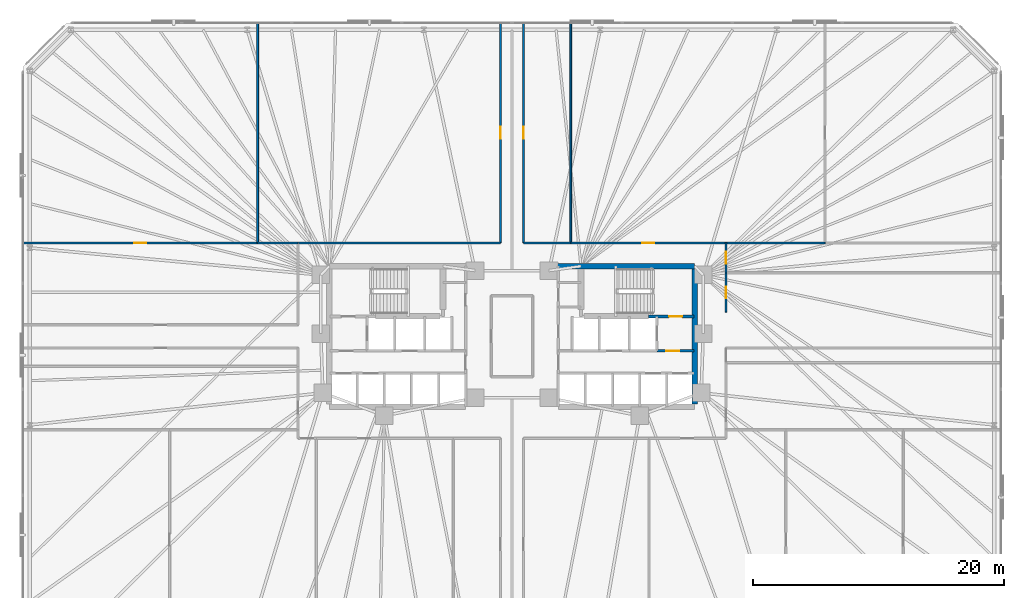
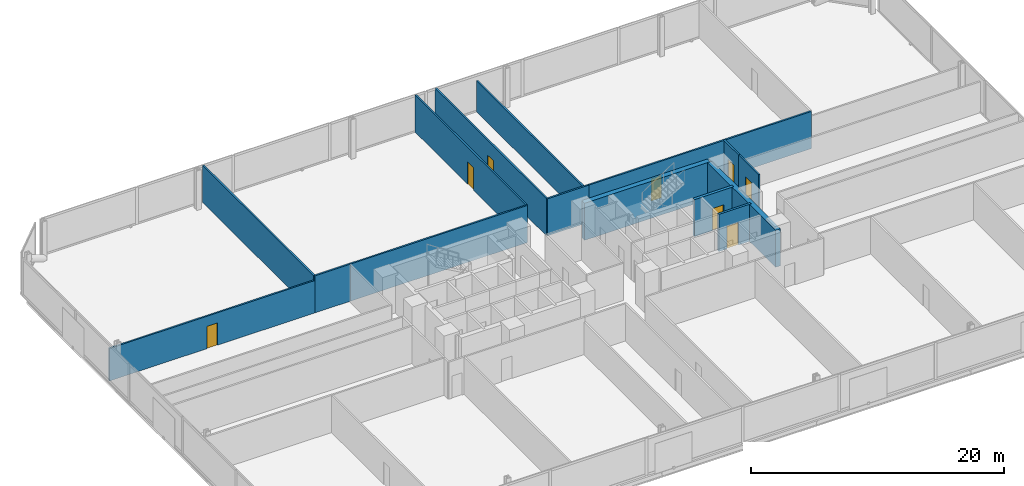
# One storey, part 14 of 17: 16 walls, 8 doors, 8 openings.
"""IFC4 building model written with IfcOpenShell, lengths in metres."""

import ifcopenshell
import ifcopenshell.guid

model = None  # the IFC model being written
_history = None  # IfcOwnerHistory: only IFC2X3 demands one
_inside = {}  # id of a spatial element -> (the spatial element, [elements in it])
_under = {}  # id of a project, library or spatial element -> (it, [spatial elements below it])
_declared = {}  # id of a project -> (the project, [libraries it declares])
_typed = {}  # id of a type object -> (the type object, [elements of that type])
_made_of = {}  # id of a material, layer set ... -> (it, [elements and type objects made of it])


def new_model(schema):
    """Start an empty IFC model of exactly this schema.

    Asked for "IFC4X3", IfcOpenShell would pick the latest addendum, in which some entities
    have other attributes; the version numbers below select the first issue.
    IFC2X3 requires an IfcOwnerHistory on every rooted entity: one is made here for all.
    """
    global model, _history
    if schema == "IFC4X3":
        model = ifcopenshell.file(schema_version=(4, 3, 0, 0))
    else:
        model = ifcopenshell.file(schema=schema)
    _inside.clear()
    _under.clear()
    _declared.clear()
    _typed.clear()
    _made_of.clear()
    _history = None
    if model.schema == "IFC2X3":
        org = make("IfcOrganization", Name="unknown")
        user = make(
            "IfcPersonAndOrganization",
            ThePerson=make("IfcPerson", FamilyName="unknown"),
            TheOrganization=org,
        )
        app = make(
            "IfcApplication",
            ApplicationDeveloper=org,
            Version="unknown",
            ApplicationFullName="unknown",
            ApplicationIdentifier="unknown",
        )
        _history = make(
            "IfcOwnerHistory",
            OwningUser=user,
            OwningApplication=app,
            ChangeAction="ADDED",
            CreationDate=0,
        )
    return model


def make(cls, **values):
    """One entity of the class cls with the attributes given. An attribute that is None is left unset."""
    return model.create_entity(
        cls, **{name: value for name, value in values.items() if value is not None}
    )


def rooted(cls, **values):
    """An entity with a GlobalId (a new one), such as an element, a storey or a relation."""
    return make(cls, GlobalId=ifcopenshell.guid.new(), OwnerHistory=_history, **values)


def si_unit(unit_type, name, prefix=None):
    """IfcSIUnit, for example si_unit("LENGTHUNIT", "METRE", prefix="MILLI")."""
    return make("IfcSIUnit", UnitType=unit_type, Prefix=prefix, Name=name)


def assignment(units):
    """IfcUnitAssignment: the units of a project."""
    return None if units is None else make("IfcUnitAssignment", Units=units)


def point(xyz):
    """IfcCartesianPoint."""
    return None if xyz is None else make("IfcCartesianPoint", Coordinates=xyz)


def direction(xyz):
    """IfcDirection."""
    return None if xyz is None else make("IfcDirection", DirectionRatios=xyz)


def frame(location, z_axis=None, x_axis=None):
    """IfcAxis2Placement3D, a coordinate frame: its origin and axes. An axis left out is left unset."""
    return make(
        "IfcAxis2Placement3D",
        Location=point(location),
        Axis=direction(z_axis),
        RefDirection=direction(x_axis),
    )


def frame_2d(location, x_axis=None):
    """IfcAxis2Placement2D, a coordinate frame in the plane: its origin and x axis."""
    return make(
        "IfcAxis2Placement2D", Location=point(location), RefDirection=direction(x_axis)
    )


def origin():
    """The frame at (0, 0, 0) with its axes left unset."""
    return frame((0.0, 0.0, 0.0))


def place(relative_to, where):
    """IfcLocalPlacement: puts the frame where relative to a parent placement (None: the world)."""
    return make(
        "IfcLocalPlacement", PlacementRelTo=relative_to, RelativePlacement=where
    )


def context(
    kind, dimensions, precision=None, world=None, true_north=None, identifier=None
):
    """IfcGeometricRepresentationContext, for example the 3D "Model" context."""
    return make(
        "IfcGeometricRepresentationContext",
        ContextIdentifier=identifier,
        ContextType=kind,
        CoordinateSpaceDimension=dimensions,
        Precision=precision,
        WorldCoordinateSystem=world,
        TrueNorth=true_north,
    )


def subcontext(parent, identifier, kind, view, scale=None):
    """IfcGeometricRepresentationSubContext, for example "Body" below "Model"."""
    return make(
        "IfcGeometricRepresentationSubContext",
        ContextIdentifier=identifier,
        ContextType=kind,
        ParentContext=parent,
        TargetScale=scale,
        TargetView=view,
    )


def project(units=None, contexts=None):
    """IfcProject with its units and contexts."""
    return rooted(
        "IfcProject",
        Name="project",
        RepresentationContexts=contexts,
        UnitsInContext=assignment(units),
    )


def spatial(cls, under=None, at=None, **own):
    """A site, building, storey or space (cls), placed at a placement, below another one or the project."""
    s = rooted(cls, ObjectPlacement=at, **own)
    if under is not None:
        _under.setdefault(under.id(), (under, []))[1].append(s)
    return s


def profile(cls, at=None, kind="AREA", **sizes):
    """A parametric profile (cls). Its sizes go by their IFC names, for example OverallWidth=200.0."""
    return make(cls, ProfileType=kind, Position=at, **sizes)


def rectangle(**sizes):
    """IfcRectangleProfileDef."""
    return profile("IfcRectangleProfileDef", **sizes)


def extrude(swept, where, along, depth):
    """IfcExtrudedAreaSolid: the profile swept, set in the frame where, extruded along a direction by depth."""
    return make(
        "IfcExtrudedAreaSolid",
        SweptArea=swept,
        Position=where,
        ExtrudedDirection=direction(along),
        Depth=depth,
    )


def shape(context_of_items, identifier, shape_type, items):
    """IfcShapeRepresentation: the items that make up one representation, for example the "Body"."""
    return make(
        "IfcShapeRepresentation",
        ContextOfItems=context_of_items,
        RepresentationIdentifier=identifier,
        RepresentationType=shape_type,
        Items=items,
    )


def material(Name=None, Category=None):
    """IfcMaterial."""
    return make("IfcMaterial", Name=Name, Category=Category)


def layer(
    of_material, thickness, ventilated=None, Name=None, Category=None, Priority=None
):
    """IfcMaterialLayer: one layer of a wall or slab, of a material (None: an air gap)."""
    return make(
        "IfcMaterialLayer",
        Material=of_material,
        LayerThickness=thickness,
        IsVentilated=ventilated,
        Name=Name,
        Category=Category,
        Priority=Priority,
    )


def layer_set(layers, Name=None):
    """IfcMaterialLayerSet."""
    return make("IfcMaterialLayerSet", MaterialLayers=layers, LayerSetName=Name)


def made_of(thing, what):
    """Note that an element or type object is made of a material, layer set ...; save() writes the relation."""
    if what is not None:
        _made_of.setdefault(what.id(), (what, []))[1].append(thing)
    return thing


def type_object(cls, material=None, **own):
    """A type object (cls), such as IfcWallType, which elements share."""
    return made_of(rooted(cls, **own), material)


def element(
    cls,
    number,
    at=None,
    inside=None,
    cuts=None,
    type_object=None,
    material=None,
    context=None,
    identifier="Body",
    shape_type=None,
    held_by="IfcProductDefinitionShape",
    body=None,
    shapes=None,
    **own,
):
    """One element of the class cls, such as IfcWall. Its Tag is "e" and its number.

    at: its placement. inside: the storey or other place that contains it. cuts: it is an
    opening in that element (IfcRelVoidsElement). A single representation is given by context,
    identifier, shape_type and body (its items); several are given by shapes. held_by: the class
    of the entity that holds the representations. save() writes the other relations.
    """
    e = rooted(cls, Tag="e%d" % number, ObjectPlacement=at, **own)
    if body is not None:
        shapes = [shape(context, identifier, shape_type, body)]
    if shapes is not None:
        e.Representation = make(held_by, Representations=shapes)
    if inside is not None:
        _inside.setdefault(inside.id(), (inside, []))[1].append(e)
    if cuts is not None:
        rooted(
            "IfcRelVoidsElement", RelatingBuildingElement=cuts, RelatedOpeningElement=e
        )
    if type_object is not None:
        _typed.setdefault(type_object.id(), (type_object, []))[1].append(e)
    return made_of(e, material)


def fill(opening, filler):
    """IfcRelFillsElement: the door or window that sits in an opening."""
    return rooted(
        "IfcRelFillsElement",
        RelatingOpeningElement=opening,
        RelatedBuildingElement=filler,
    )


def aggregate(whole, parts):
    """IfcRelAggregates: a whole, such as a stair, and the parts it consists of."""
    return rooted("IfcRelAggregates", RelatingObject=whole, RelatedObjects=parts)


def save(model, path):
    """Write the relations noted so far, then the file.

    IfcRelAggregates (storeys below a building ...), IfcRelContainedInSpatialStructure (elements
    in a storey), IfcRelDefinesByType, IfcRelAssociatesMaterial and IfcRelDeclares: one each for
    every whole, place, type object, material and project.
    """
    for whole, parts in _under.values():
        aggregate(whole, parts)
    for where, things in _inside.values():
        rooted(
            "IfcRelContainedInSpatialStructure",
            RelatedElements=things,
            RelatingStructure=where,
        )
    for kind, things in _typed.values():
        rooted("IfcRelDefinesByType", RelatedObjects=things, RelatingType=kind)
    for what, things in _made_of.values():
        rooted("IfcRelAssociatesMaterial", RelatedObjects=things, RelatingMaterial=what)
    for by, libraries in _declared.values():
        rooted("IfcRelDeclares", RelatingContext=by, RelatedDefinitions=libraries)
    model.write(path)


model = new_model("IFC4")

# Units and contexts
model_context = context("Model", 3, precision=1e-05, world=origin(), true_north=direction((0.0, 1.0)))
body_context = subcontext(model_context, "Body", "Model", "MODEL_VIEW")
ifc_project = project(units=[si_unit("LENGTHUNIT", "METRE"), si_unit("AREAUNIT", "SQUARE_METRE"), si_unit("VOLUMEUNIT", "CUBIC_METRE"), si_unit("PLANEANGLEUNIT", "RADIAN"), si_unit("MASSUNIT", "GRAM", prefix="KILO")], contexts=[model_context])

# Site, building, storey
site_placement = place(None, origin())
site = spatial("IfcSite", under=ifc_project, at=site_placement, CompositionType="ELEMENT")
building_placement = place(site_placement, origin())
building = spatial("IfcBuilding", under=site, at=building_placement, Name="Menara Jurai Vektor", CompositionType="ELEMENT")
storey_placement = place(building_placement, frame((0.0, 0.0, 56.0)))
storey = spatial("IfcBuildingStorey", under=building, at=storey_placement, Name="L13", CompositionType="ELEMENT", Elevation=56.0)

# Wall, opening, door
ifc_material_1 = material(Name="Concrete C40/50", Category="concrete")
ifc_layer_1 = layer(ifc_material_1, 0.25)
ifc_layer_set_1 = layer_set([ifc_layer_1], Name="Concrete C40/50")
wall_type_1 = type_object("IfcWallType", Name="INT-WALL-CORE-250", PredefinedType="STANDARD", material=ifc_layer_set_1)
wall_1_placement = place(storey_placement, frame((10.89990234375, 1.60009765625, 0.0), z_axis=(0.0, 0.0, 1.0), x_axis=(1.0, 0.0, 0.0)))
wall_1 = element("IfcWall", 1, at=wall_1_placement, inside=storey, type_object=wall_type_1, Name="Interior Wall IW-250 L13", PredefinedType="STANDARD", context=body_context, shape_type="SweptSolid", body=[
    extrude(rectangle(XDim=3.60009765625, YDim=0.25, at=frame_2d((1.800048828125, 0.0))), origin(), (0.0, 0.0, 1.0), 3.574951171875),
])
opening_1_placement = place(wall_1_placement, frame((1.6201171875, 0.0, 0.0)))
opening_1 = element("IfcOpeningElement", 2, at=opening_1_placement, cuts=wall_1, Name="Opening D-L13-ST2", PredefinedType="OPENING", context=body_context, shape_type="SweptSolid", body=[
    extrude(rectangle(XDim=1.050048828125, YDim=2.14990234375, at=frame_2d((0.52490234375, 1.074951171875))), frame((0.0, 0.135009765625, 0.0), z_axis=(0.0, -1.0, 0.0), x_axis=(1.0, 0.0, 0.0)), (0.0, 0.0, 1.0), 0.27001953125),
])
ifc_material_2 = material(Name="Fire-Rated Steel Door", Category="steel")
door_type_1 = type_object("IfcDoorType", Name="DR-STAIR-1050", OperationType="NOTDEFINED", PredefinedType="DOOR", material=ifc_material_2)
door_1_placement = place(opening_1_placement, origin())
door_1 = element("IfcDoor", 3, at=door_1_placement, inside=storey, type_object=door_type_1, Name="Exit Stair ST2 Door L13", OperationType="SINGLE_SWING_LEFT", OverallHeight=2.14990234375, OverallWidth=1.050048828125, PredefinedType="DOOR", context=body_context, shape_type="SweptSolid", body=[
    extrude(rectangle(XDim=1.050048828125, YDim=2.14990234375, at=frame_2d((0.52490234375, 1.074951171875))), frame((0.0, 0.02490234375, 0.0), z_axis=(0.0, -1.0, 0.0), x_axis=(1.0, 0.0, 0.0)), (0.0, 0.0, 1.0), 0.050048828125),
])
fill(opening_1, door_1)

wall_2_placement = place(storey_placement, frame((11.550048828125, -1.14990234375, 0.0), z_axis=(0.0, 0.0, 1.0), x_axis=(1.0, 0.0, 0.0)))
wall_2 = element("IfcWall", 4, at=wall_2_placement, inside=storey, type_object=wall_type_1, Name="Interior Wall IW-250 L13", PredefinedType="STANDARD", context=body_context, shape_type="SweptSolid", body=[
    extrude(rectangle(XDim=2.949951171875, YDim=0.199951171875, at=frame_2d((1.47509765625, 0.0))), origin(), (0.0, 0.0, 1.0), 3.574951171875),
])
opening_2_placement = place(wall_2_placement, frame((0.75, 0.0, 0.0)))
opening_2 = element("IfcOpeningElement", 5, at=opening_2_placement, cuts=wall_2, Name="Opening D-L13-FFE", PredefinedType="OPENING", context=body_context, shape_type="SweptSolid", body=[
    extrude(rectangle(XDim=1.050048828125, YDim=2.179931640625, at=frame_2d((0.52490234375, 1.08984375))), frame((0.0, 0.10986328125, 0.0), z_axis=(0.0, -1.0, 0.0), x_axis=(1.0, 0.0, 0.0)), (0.0, 0.0, 1.0), 0.219970703125),
])
ifc_material_3 = material(Name="Fire-Rated Timber Door", Category="wood")
door_type_2 = type_object("IfcDoorType", Name="DR-LOBBY-1050", OperationType="NOTDEFINED", PredefinedType="DOOR", material=ifc_material_3)
door_2_placement = place(opening_2_placement, origin())
door_2 = element("IfcDoor", 6, at=door_2_placement, inside=storey, type_object=door_type_2, Name="Fire Lift Lobby Door E L13", OperationType="SINGLE_SWING_LEFT", OverallHeight=2.179931640625, OverallWidth=1.050048828125, PredefinedType="DOOR", context=body_context, shape_type="SweptSolid", body=[
    extrude(rectangle(XDim=1.050048828125, YDim=2.179931640625, at=frame_2d((0.52490234375, 1.08984375))), frame((0.0, 0.02490234375, 0.0), z_axis=(0.0, -1.0, 0.0), x_axis=(1.0, 0.0, 0.0)), (0.0, 0.0, 1.0), 0.050048828125),
])
fill(opening_2, door_2)

# Wall
ifc_material_4 = material(Name="Gypsum Fireboard Partition", Category="gypsum")
ifc_layer_2 = layer(ifc_material_4, 0.14990234375)
ifc_layer_set_2 = layer_set([ifc_layer_2], Name="Gypsum Fireboard Partition")
wall_type_2 = type_object("IfcWallType", Name="INT-WALL-CORR-150", PredefinedType="PARTITIONING", material=ifc_layer_set_2)
wall_3_placement = place(storey_placement, frame((-17.05908203125, 7.449951171875, 0.0), z_axis=(0.0, 0.0, 1.0), x_axis=(1.0, 0.0, 0.0)))
element("IfcWall", 7, at=wall_3_placement, inside=storey, type_object=wall_type_2, Name="Interior Wall IW-150 L13", PredefinedType="PARTITIONING", context=body_context, shape_type="SweptSolid", body=[
    extrude(rectangle(XDim=16.13916015625, YDim=0.14990234375, at=frame_2d((8.069580078125, 0.0))), origin(), (0.0, 0.0, 1.0), 3.574951171875),
])

# Wall, opening, door
wall_4_placement = place(storey_placement, frame((-0.919921875, 7.449951171875, 0.0), z_axis=(0.0, 0.0, 1.0), x_axis=(0.0, 1.0, 0.0)))
wall_4 = element("IfcWall", 8, at=wall_4_placement, inside=storey, type_object=wall_type_2, Name="Interior Wall IW-150 L13", PredefinedType="PARTITIONING", context=body_context, shape_type="SweptSolid", body=[
    extrude(rectangle(XDim=17.550048828125, YDim=0.14990234375, at=frame_2d((8.77490234375, 0.0))), origin(), (0.0, 0.0, 1.0), 3.574951171875),
])
opening_3_placement = place(wall_4_placement, frame((8.300048828125, 0.0, 0.0)))
opening_3 = element("IfcOpeningElement", 9, at=opening_3_placement, cuts=wall_4, Name="Opening D13-05", PredefinedType="OPENING", context=body_context, shape_type="SweptSolid", body=[
    extrude(rectangle(XDim=0.949951171875, YDim=2.14990234375, at=frame_2d((0.47509765625, 1.074951171875))), frame((0.0, 0.0849609375, 0.0), z_axis=(0.0, -1.0, 0.0), x_axis=(1.0, 0.0, 0.0)), (0.0, 0.0, 1.0), 0.169921875),
])
ifc_material_5 = material(Name="Solid Core Timber Fire Door", Category="wood")
door_type_3 = type_object("IfcDoorType", Name="DR-ENTRY-950", OperationType="NOTDEFINED", PredefinedType="DOOR", material=ifc_material_5)
door_3_placement = place(opening_3_placement, origin())
door_3 = element("IfcDoor", 10, at=door_3_placement, inside=storey, type_object=door_type_3, Name="Interior Door D13-05", OperationType="SINGLE_SWING_RIGHT", OverallHeight=2.14990234375, OverallWidth=0.949951171875, PredefinedType="DOOR", context=body_context, shape_type="SweptSolid", body=[
    extrude(rectangle(XDim=0.949951171875, YDim=2.14990234375, at=frame_2d((0.47509765625, 1.074951171875))), frame((0.0, 0.02490234375, 0.0), z_axis=(0.0, -1.0, 0.0), x_axis=(1.0, 0.0, 0.0)), (0.0, 0.0, 1.0), 0.050048828125),
])
fill(opening_3, door_3)

wall_5_placement = place(storey_placement, frame((0.919921875, 7.449951171875, 0.0), z_axis=(0.0, 0.0, 1.0), x_axis=(0.0, 1.0, 0.0)))
wall_5 = element("IfcWall", 11, at=wall_5_placement, inside=storey, type_object=wall_type_2, Name="Interior Wall IW-150 L13", PredefinedType="PARTITIONING", context=body_context, shape_type="SweptSolid", body=[
    extrude(rectangle(XDim=17.550048828125, YDim=0.14990234375, at=frame_2d((8.77490234375, 0.0))), origin(), (0.0, 0.0, 1.0), 3.574951171875),
])
opening_4_placement = place(wall_5_placement, frame((8.300048828125, 0.0, 0.0)))
opening_4 = element("IfcOpeningElement", 12, at=opening_4_placement, cuts=wall_5, Name="Opening D13-06", PredefinedType="OPENING", context=body_context, shape_type="SweptSolid", body=[
    extrude(rectangle(XDim=0.949951171875, YDim=2.14990234375, at=frame_2d((0.47509765625, 1.074951171875))), frame((0.0, 0.0849609375, 0.0), z_axis=(0.0, -1.0, 0.0), x_axis=(1.0, 0.0, 0.0)), (0.0, 0.0, 1.0), 0.169921875),
])
door_4_placement = place(opening_4_placement, origin())
door_4 = element("IfcDoor", 13, at=door_4_placement, inside=storey, type_object=door_type_3, Name="Interior Door D13-06", OperationType="SINGLE_SWING_LEFT", OverallHeight=2.14990234375, OverallWidth=0.949951171875, PredefinedType="DOOR", context=body_context, shape_type="SweptSolid", body=[
    extrude(rectangle(XDim=0.949951171875, YDim=2.14990234375, at=frame_2d((0.47509765625, 1.074951171875))), frame((0.0, 0.02490234375, 0.0), z_axis=(0.0, -1.0, 0.0), x_axis=(1.0, 0.0, 0.0)), (0.0, 0.0, 1.0), 0.050048828125),
])
fill(opening_4, door_4)

# Wall
wall_6_placement = place(storey_placement, frame((0.919921875, 7.449951171875, 0.0), z_axis=(0.0, 0.0, 1.0), x_axis=(1.0, 0.0, 0.0)))
element("IfcWall", 14, at=wall_6_placement, inside=storey, type_object=wall_type_2, Name="Interior Wall IW-150 L13", PredefinedType="PARTITIONING", context=body_context, shape_type="SweptSolid", body=[
    extrude(rectangle(XDim=3.760009765625, YDim=0.14990234375, at=frame_2d((1.8798828125, 0.0))), origin(), (0.0, 0.0, 1.0), 3.574951171875),
])

# Wall, opening, door
wall_7_placement = place(storey_placement, frame((4.679931640625, 7.449951171875, 0.0), z_axis=(0.0, 0.0, 1.0), x_axis=(1.0, 0.0, 0.0)))
wall_7 = element("IfcWall", 15, at=wall_7_placement, inside=storey, type_object=wall_type_2, Name="Interior Wall IW-150 L13", PredefinedType="PARTITIONING", context=body_context, shape_type="SweptSolid", body=[
    extrude(rectangle(XDim=12.379150390625, YDim=0.14990234375, at=frame_2d((6.189453125, 0.0))), origin(), (0.0, 0.0, 1.0), 3.574951171875),
])
opening_5_placement = place(wall_7_placement, frame((5.714599609375, 0.0, 0.0)))
opening_5 = element("IfcOpeningElement", 16, at=opening_5_placement, cuts=wall_7, Name="Opening D13-07", PredefinedType="OPENING", context=body_context, shape_type="SweptSolid", body=[
    extrude(rectangle(XDim=0.949951171875, YDim=2.14990234375, at=frame_2d((0.47509765625, 1.074951171875))), frame((0.0, 0.0849609375, 0.0), z_axis=(0.0, -1.0, 0.0), x_axis=(1.0, 0.0, 0.0)), (0.0, 0.0, 1.0), 0.169921875),
])
door_5_placement = place(opening_5_placement, origin())
door_5 = element("IfcDoor", 17, at=door_5_placement, inside=storey, type_object=door_type_3, Name="Interior Door D13-07", OperationType="SINGLE_SWING_RIGHT", OverallHeight=2.14990234375, OverallWidth=0.949951171875, PredefinedType="DOOR", context=body_context, shape_type="SweptSolid", body=[
    extrude(rectangle(XDim=0.949951171875, YDim=2.14990234375, at=frame_2d((0.47509765625, 1.074951171875))), frame((0.0, 0.02490234375, 0.0), z_axis=(0.0, -1.0, 0.0), x_axis=(1.0, 0.0, 0.0)), (0.0, 0.0, 1.0), 0.050048828125),
])
fill(opening_5, door_5)

wall_8_placement = place(storey_placement, frame((17.05908203125, 1.93701171875, 0.0), z_axis=(0.0, 0.0, 1.0), x_axis=(0.0, 1.0, 0.0)))
wall_8 = element("IfcWall", 18, at=wall_8_placement, inside=storey, type_object=wall_type_2, Name="Interior Wall IW-150 L13", PredefinedType="PARTITIONING", context=body_context, shape_type="SweptSolid", body=[
    extrude(rectangle(XDim=3.12890625, YDim=0.14990234375, at=frame_2d((1.564453125, 0.0))), origin(), (0.0, 0.0, 1.0), 3.574951171875),
])
opening_6_placement = place(wall_8_placement, frame((1.089599609375, 0.0, 0.0)))
opening_6 = element("IfcOpeningElement", 19, at=opening_6_placement, cuts=wall_8, Name="Opening D13-18", PredefinedType="OPENING", context=body_context, shape_type="SweptSolid", body=[
    extrude(rectangle(XDim=0.949951171875, YDim=2.14990234375, at=frame_2d((0.47509765625, 1.074951171875))), frame((0.0, 0.0849609375, 0.0), z_axis=(0.0, -1.0, 0.0), x_axis=(1.0, 0.0, 0.0)), (0.0, 0.0, 1.0), 0.169921875),
])
door_6_placement = place(opening_6_placement, origin())
door_6 = element("IfcDoor", 20, at=door_6_placement, inside=storey, type_object=door_type_3, Name="Interior Door D13-18", OperationType="SINGLE_SWING_LEFT", OverallHeight=2.14990234375, OverallWidth=0.949951171875, PredefinedType="DOOR", context=body_context, shape_type="SweptSolid", body=[
    extrude(rectangle(XDim=0.949951171875, YDim=2.14990234375, at=frame_2d((0.47509765625, 1.074951171875))), frame((0.0, 0.02490234375, 0.0), z_axis=(0.0, -1.0, 0.0), x_axis=(1.0, 0.0, 0.0)), (0.0, 0.0, 1.0), 0.050048828125),
])
fill(opening_6, door_6)

wall_9_placement = place(storey_placement, frame((17.05908203125, 5.06591796875, 0.0), z_axis=(0.0, 0.0, 1.0), x_axis=(0.0, 1.0, 0.0)))
wall_9 = element("IfcWall", 21, at=wall_9_placement, inside=storey, type_object=wall_type_2, Name="Interior Wall IW-150 L13", PredefinedType="PARTITIONING", context=body_context, shape_type="SweptSolid", body=[
    extrude(rectangle(XDim=2.384033203125, YDim=0.14990234375, at=frame_2d((1.19189453125, 0.0))), origin(), (0.0, 0.0, 1.0), 3.574951171875),
])
opening_7_placement = place(wall_9_placement, frame((0.717041015625, 0.0, 0.0)))
opening_7 = element("IfcOpeningElement", 22, at=opening_7_placement, cuts=wall_9, Name="Opening D13-19", PredefinedType="OPENING", context=body_context, shape_type="SweptSolid", body=[
    extrude(rectangle(XDim=0.949951171875, YDim=2.14990234375, at=frame_2d((0.47509765625, 1.074951171875))), frame((0.0, 0.0849609375, 0.0), z_axis=(0.0, -1.0, 0.0), x_axis=(1.0, 0.0, 0.0)), (0.0, 0.0, 1.0), 0.169921875),
])
door_7_placement = place(opening_7_placement, origin())
door_7 = element("IfcDoor", 23, at=door_7_placement, inside=storey, type_object=door_type_3, Name="Interior Door D13-19", OperationType="SINGLE_SWING_RIGHT", OverallHeight=2.14990234375, OverallWidth=0.949951171875, PredefinedType="DOOR", context=body_context, shape_type="SweptSolid", body=[
    extrude(rectangle(XDim=0.949951171875, YDim=2.14990234375, at=frame_2d((0.47509765625, 1.074951171875))), frame((0.0, 0.02490234375, 0.0), z_axis=(0.0, -1.0, 0.0), x_axis=(1.0, 0.0, 0.0)), (0.0, 0.0, 1.0), 0.050048828125),
])
fill(opening_7, door_7)

# Walls
wall_10_placement = place(storey_placement, frame((-20.280029296875, 7.449951171875, 0.0), z_axis=(0.0, 0.0, 1.0), x_axis=(0.0, 1.0, 0.0)))
element("IfcWall", 24, at=wall_10_placement, inside=storey, type_object=wall_type_2, Name="Interior Wall IW-150 L13", PredefinedType="PARTITIONING", context=body_context, shape_type="SweptSolid", body=[
    extrude(rectangle(XDim=17.550048828125, YDim=0.14990234375, at=frame_2d((8.77490234375, 0.0))), origin(), (0.0, 0.0, 1.0), 3.574951171875),
])
wall_11_placement = place(storey_placement, frame((-20.280029296875, 7.449951171875, 0.0), z_axis=(0.0, 0.0, 1.0), x_axis=(1.0, 0.0, 0.0)))
element("IfcWall", 25, at=wall_11_placement, inside=storey, type_object=wall_type_2, Name="Interior Wall IW-150 L13", PredefinedType="PARTITIONING", context=body_context, shape_type="SweptSolid", body=[
    extrude(rectangle(XDim=3.220947265625, YDim=0.14990234375, at=frame_2d((1.6103515625, 0.0))), origin(), (0.0, 0.0, 1.0), 3.574951171875),
])
wall_12_placement = place(storey_placement, frame((17.05908203125, 7.449951171875, 0.0), z_axis=(0.0, 0.0, 1.0), x_axis=(1.0, 0.0, 0.0)))
element("IfcWall", 26, at=wall_12_placement, inside=storey, type_object=wall_type_2, Name="Interior Wall IW-150 L13", PredefinedType="PARTITIONING", context=body_context, shape_type="SweptSolid", body=[
    extrude(rectangle(XDim=7.90087890625, YDim=0.14990234375, at=frame_2d((3.950439453125, 0.0))), origin(), (0.0, 0.0, 1.0), 3.574951171875),
])

# Wall, opening, door
ifc_layer_3 = layer(ifc_material_4, 0.14990234375)
ifc_layer_set_3 = layer_set([ifc_layer_3], Name="Gypsum Fireboard Partition")
wall_type_3 = type_object("IfcWallType", Name="INT-WALL-CORR-150-H1", PredefinedType="PARTITIONING", material=ifc_layer_set_3)
wall_13_placement = place(storey_placement, frame((-39.0, 7.449951171875, 0.0), z_axis=(0.0, 0.0, 1.0), x_axis=(1.0, 0.0, 0.0)))
wall_13 = element("IfcWall", 27, at=wall_13_placement, inside=storey, type_object=wall_type_3, Name="Interior Wall IW-150 L13", PredefinedType="PARTITIONING", context=body_context, shape_type="SweptSolid", body=[
    extrude(rectangle(XDim=18.719970703125, YDim=0.14990234375, at=frame_2d((9.35986328125, 0.0))), origin(), (0.0, 0.0, 1.0), 3.125),
])
opening_8_placement = place(wall_13_placement, frame((8.885009765625, 0.0, 0.0)))
opening_8 = element("IfcOpeningElement", 28, at=opening_8_placement, cuts=wall_13, Name="Opening D13-20", PredefinedType="OPENING", context=body_context, shape_type="SweptSolid", body=[
    extrude(rectangle(XDim=0.949951171875, YDim=2.14990234375, at=frame_2d((0.47509765625, 1.074951171875))), frame((0.0, 0.0849609375, 0.0), z_axis=(0.0, -1.0, 0.0), x_axis=(1.0, 0.0, 0.0)), (0.0, 0.0, 1.0), 0.169921875),
])
door_8_placement = place(opening_8_placement, origin())
door_8 = element("IfcDoor", 29, at=door_8_placement, inside=storey, type_object=door_type_3, Name="Interior Door D13-20", OperationType="SINGLE_SWING_LEFT", OverallHeight=2.14990234375, OverallWidth=0.949951171875, PredefinedType="DOOR", context=body_context, shape_type="SweptSolid", body=[
    extrude(rectangle(XDim=0.949951171875, YDim=2.14990234375, at=frame_2d((0.47509765625, 1.074951171875))), frame((0.0, 0.02490234375, 0.0), z_axis=(0.0, -1.0, 0.0), x_axis=(1.0, 0.0, 0.0)), (0.0, 0.0, 1.0), 0.050048828125),
])
fill(opening_8, door_8)

# Walls
ifc_layer_4 = layer(ifc_material_4, 0.14990234375)
ifc_layer_set_4 = layer_set([ifc_layer_4], Name="Gypsum Fireboard Partition")
wall_type_4 = type_object("IfcWallType", Name="INT-WALL-CORR-150-H2", PredefinedType="PARTITIONING", material=ifc_layer_set_4)
wall_14_placement = place(storey_placement, frame((4.679931640625, 7.449951171875, 0.0), z_axis=(0.0, 0.0, 1.0), x_axis=(0.0, 1.0, 0.0)))
element("IfcWall", 30, at=wall_14_placement, inside=storey, type_object=wall_type_4, Name="Interior Wall IW-150 L13", PredefinedType="PARTITIONING", context=body_context, shape_type="SweptSolid", body=[
    extrude(rectangle(XDim=17.550048828125, YDim=0.14990234375, at=frame_2d((8.77490234375, 0.0))), origin(), (0.0, 0.0, 1.0), 2.97509765625),
])
ifc_material_6 = material(Name="Concrete C60/75", Category="concrete")
ifc_layer_5 = layer(ifc_material_6, 0.449951171875)
ifc_layer_set_5 = layer_set([ifc_layer_5], Name="Concrete C60/75")
wall_type_5 = type_object("IfcWallType", Name="STR-WALL-CORE450", PredefinedType="SHEAR", material=ifc_layer_set_5)
wall_15_placement = place(storey_placement, frame((3.14990234375, 5.60009765625, 0.0), z_axis=(0.0, 0.0, 1.0), x_axis=(1.0, 0.0, 0.0)))
element("IfcWall", 31, at=wall_15_placement, inside=storey, type_object=wall_type_5, Name="Core Shear Wall CW-E-N L13", PredefinedType="SHEAR", context=body_context, shape_type="SweptSolid", body=[
    extrude(rectangle(XDim=11.41015625, YDim=0.449951171875, at=frame_2d((5.705078125, 0.0))), origin(), (0.0, 0.0, 1.0), 3.574951171875),
])
wall_16_placement = place(storey_placement, frame((14.56005859375, -5.375, 0.0), z_axis=(0.0, 0.0, 1.0), x_axis=(0.0, 1.0, 0.0)))
element("IfcWall", 32, at=wall_16_placement, inside=storey, type_object=wall_type_5, Name="Core Shear Wall CW-E-E L13", PredefinedType="SHEAR", context=body_context, shape_type="SweptSolid", body=[
    extrude(rectangle(XDim=10.75, YDim=0.449951171875, at=frame_2d((5.375, 0.0))), origin(), (0.0, 0.0, 1.0), 3.574951171875),
])

save(model, "model.ifc")
